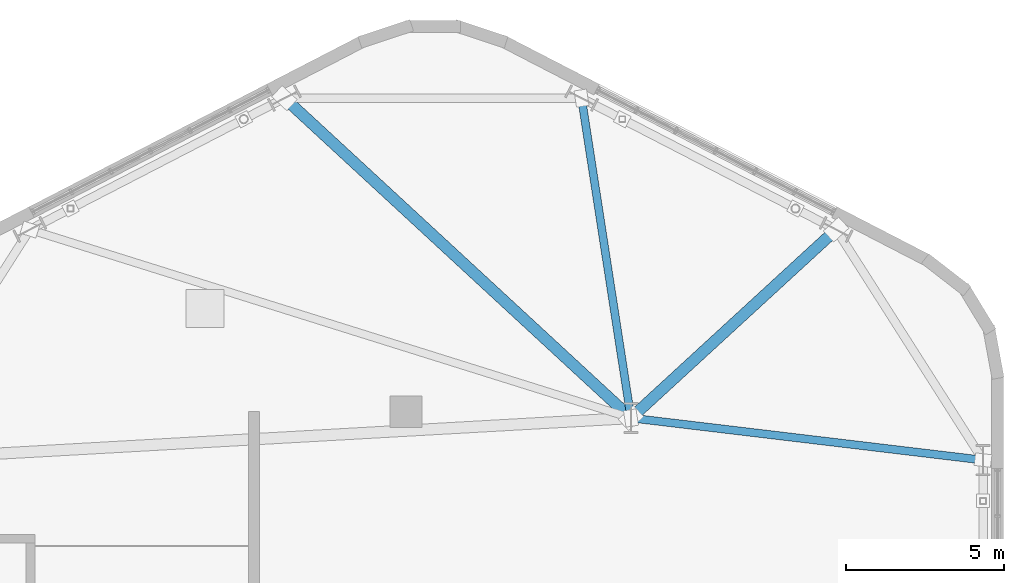
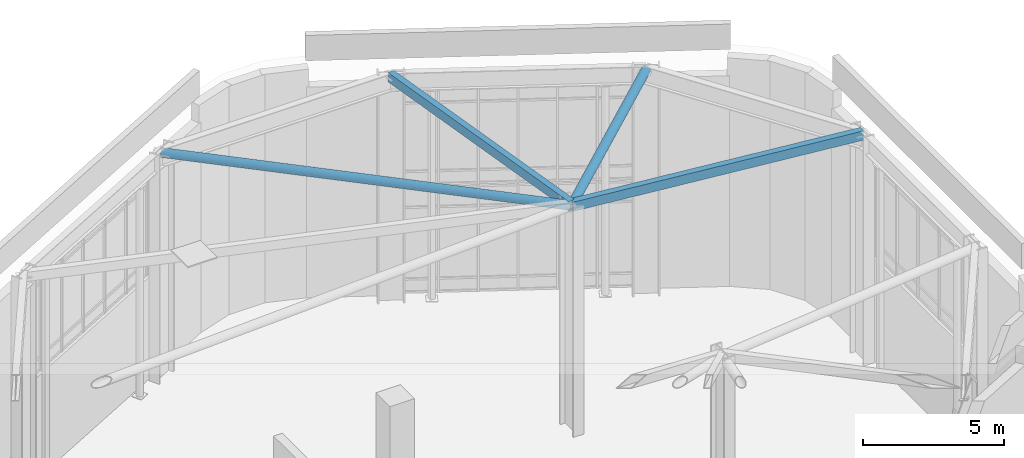
# One storey, part 13 of 23: 4 members.
"""IFC4 building model written with IfcOpenShell, lengths in metres."""

from ifc_helpers import new_model, si_unit, direction, frame, origin, origin_2d, place, context, subcontext, project, spatial, hollow_rectangle, hollow_circle, extrude, material, material_profile, profile_set, type_object, element, save


model = new_model("IFC4")

# Units and contexts
model_context = context("Model", 3, precision=1e-05, world=origin(), true_north=direction((0.0, 1.0)))
body_context = subcontext(model_context, "Body", "Model", "MODEL_VIEW")
ifc_project = project(units=[si_unit("LENGTHUNIT", "METRE"), si_unit("AREAUNIT", "SQUARE_METRE"), si_unit("VOLUMEUNIT", "CUBIC_METRE"), si_unit("PLANEANGLEUNIT", "RADIAN"), si_unit("MASSUNIT", "GRAM", prefix="KILO"), si_unit("THERMODYNAMICTEMPERATUREUNIT", "KELVIN"), si_unit("POWERUNIT", "WATT")], contexts=[model_context])

# Site, building, storey
site_placement = place(None, origin())
site = spatial("IfcSite", under=ifc_project, at=site_placement, CompositionType="ELEMENT")
building_placement = place(site_placement, origin())
building = spatial("IfcBuilding", under=site, at=building_placement, Name="Skarre Station Tower", CompositionType="ELEMENT")
storey_placement = place(building_placement, frame((0.0, 0.0, 291.300048828125)))
storey = spatial("IfcBuildingStorey", under=building, at=storey_placement, Name="RF", CompositionType="ELEMENT", Elevation=291.300048828125)

# Members
ifc_material = material(Name="Steel ASTM A500 Grade C", Category="steel")
ifc_material_profile_1 = material_profile(ifc_material, hollow_circle(Radius=0.177978515625, WallThickness=0.01611328125, at=origin_2d()), Name="Steel ASTM A500 Grade C")
ifc_profile_set_1 = profile_set([ifc_material_profile_1], Name="Steel ASTM A500 Grade C")
member_type_1 = type_object("IfcMemberType", Name="Steel Truss Brace CHS356X16", PredefinedType="BRACE", material=ifc_profile_set_1)
member_1_placement = place(storey_placement, frame((45.927001953125, 35.298095703125, 9.659912109375), z_axis=(-0.736547671183, -0.676385635621, 0.0), x_axis=(0.676385635621, -0.736547671183, 0.0)))
element("IfcMember", 1, at=member_1_placement, inside=storey, type_object=member_type_1, Name="RF Crown Roof Diaphragm Brace 1", PredefinedType="BRACE", context=body_context, shape_type="SweptSolid", body=[
    extrude(hollow_circle(Radius=0.177978515625, WallThickness=0.01611328125, at=origin_2d()), origin(), (0.0, 0.0, 1.0), 8.793701171875),
])
member_2_placement = place(storey_placement, frame((28.510986328125, 39.447021484375, 9.659912109375), z_axis=(0.734822935818, -0.678258986668, 0.0), x_axis=(0.678258986668, 0.734822935818, 0.0)))
element("IfcMember", 2, at=member_2_placement, inside=storey, type_object=member_type_1, Name="RF Crown Roof Diaphragm Brace 3", PredefinedType="BRACE", context=body_context, shape_type="SweptSolid", body=[
    extrude(hollow_circle(Radius=0.177978515625, WallThickness=0.01611328125, at=origin_2d()), origin(), (0.0, 0.0, 1.0), 14.886474609375),
])
ifc_material_profile_2 = material_profile(ifc_material, hollow_rectangle(XDim=0.25, YDim=0.39990234375, WallThickness=0.01611328125, at=origin_2d()), Name="Steel ASTM A500 Grade C")
ifc_profile_set_2 = profile_set([ifc_material_profile_2], Name="Steel ASTM A500 Grade C")
member_type_2 = type_object("IfcMemberType", Name="Steel Truss Purlin HSS400X250X16", PredefinedType="PURLIN", material=ifc_profile_set_2)
member_3_placement = place(storey_placement, frame((39.449951171875, 29.35009765625, 9.679931640625), z_axis=(-0.152789762931, 0.988258715288, 0.0), x_axis=(-0.988258715288, -0.152789762931, 0.0)))
element("IfcMember", 3, at=member_3_placement, inside=storey, type_object=member_type_2, Name="RF Crown Lantern Roof Purlin 2", PredefinedType="PURLIN", context=body_context, shape_type="SweptSolid", body=[
    extrude(hollow_rectangle(XDim=0.25, YDim=0.39990234375, WallThickness=0.01611328125, at=origin_2d()), origin(), (0.0, 0.0, 1.0), 10.216796875),
])
member_4_placement = place(storey_placement, frame((39.449951171875, 29.35009765625, 9.679931640625), z_axis=(0.99292393128, -0.118752122891, 0.0), x_axis=(0.118752122891, 0.99292393128, 0.0)))
element("IfcMember", 4, at=member_4_placement, inside=storey, type_object=member_type_2, Name="RF Crown Lantern Roof Purlin 12", PredefinedType="PURLIN", context=body_context, shape_type="SweptSolid", body=[
    extrude(hollow_rectangle(XDim=0.25, YDim=0.39990234375, WallThickness=0.01611328125, at=origin_2d()), origin(), (0.0, 0.0, 1.0), 11.192138671875),
])

save(model, "model.ifc")
